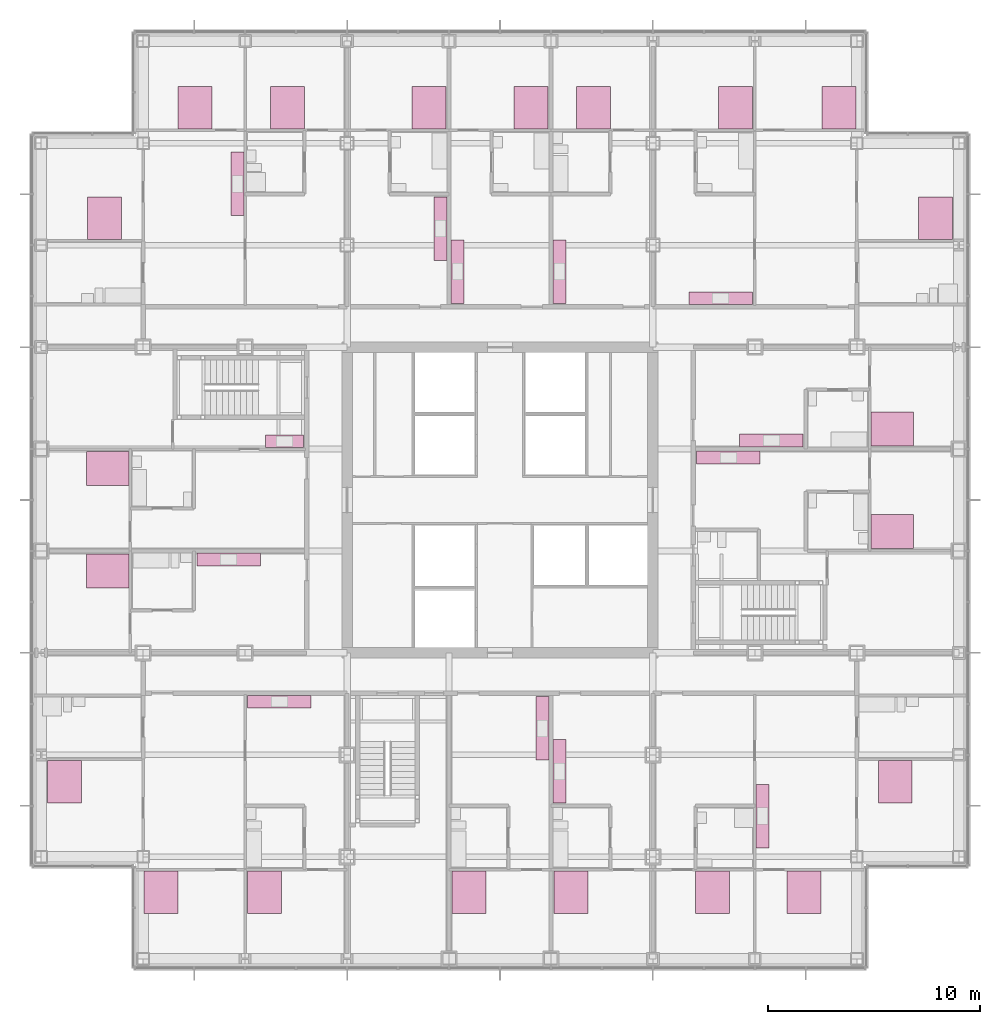
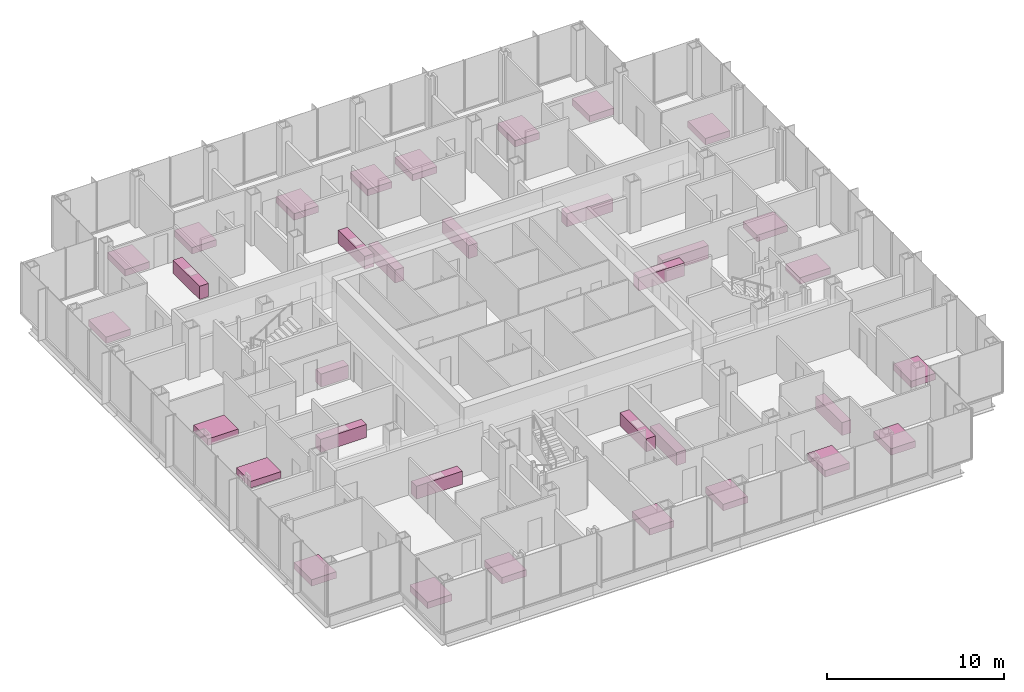
# One storey, part 21 of 21: 34 furniture elements.
"""IFC4 building model written with IfcOpenShell, lengths in metres."""

from ifc_helpers import new_model, si_unit, direction, frame, origin, origin_2d, place, context, subcontext, project, spatial, rectangle, extrude, material, type_object, element, save


model = new_model("IFC4")

# Units and contexts
model_context = context("Model", 3, precision=1e-05, world=origin(), true_north=direction((0.0, 1.0)))
body_context = subcontext(model_context, "Body", "Model", "MODEL_VIEW")
ifc_project = project(units=[si_unit("LENGTHUNIT", "METRE"), si_unit("AREAUNIT", "SQUARE_METRE"), si_unit("VOLUMEUNIT", "CUBIC_METRE"), si_unit("PLANEANGLEUNIT", "RADIAN"), si_unit("MASSUNIT", "GRAM", prefix="KILO")], contexts=[model_context])

# Site, building, storey
site_placement = place(None, origin())
site = spatial("IfcSite", under=ifc_project, at=site_placement, CompositionType="ELEMENT")
building_placement = place(site_placement, origin())
building = spatial("IfcBuilding", under=site, at=building_placement, Name="Kvirike Care Tower", CompositionType="ELEMENT")
storey_placement = place(building_placement, frame((0.0, 0.0, 48.0)))
storey = spatial("IfcBuildingStorey", under=building, at=storey_placement, Name="L12", CompositionType="ELEMENT", Elevation=48.0)

# Furniture
ifc_material_1 = material(Name="Timber", Category="wood")
furniture_type_1 = type_object("IfcFurnitureType", Name="DOUBLE BED 1600 x 2000", AssemblyPlace="FACTORY", PredefinedType="BED", material=ifc_material_1)
for number, where, z_axis, x_axis, name in (
    (1, (1.096923828125, 22.738037109375, 0.0), (0.0, 0.0, 1.0), (1.0, 0.0, 0.0), "Double bed L12-002"),
    (2, (5.64990234375, 17.5380859375, 0.0), (0.0, 0.0, 1.0), (1.0, 0.0, 0.0), "Double bed L12-003"),
    (3, (10.510009765625, 17.5380859375, 0.0), (0.0, 0.0, 1.0), (1.0, 0.0, 0.0), "Double bed L12-004"),
    (4, (3.137939453125, 37.489990234375, 0.0), (0.0, 0.0, 1.0), (0.0, -1.0, 0.0), "Double bed L12-012"),
    (5, (3.137939453125, 32.64990234375, 0.0), (0.0, 0.0, 1.0), (0.0, -1.0, 0.0), "Double bed L12-016"),
    (6, (11.60009765625, 54.4619140625, 0.0), (0.0, 0.0, 1.0), (-1.0, 0.0, 0.0), "Double bed L12-020"),
    (7, (7.239990234375, 54.4619140625, 0.0), (0.0, 0.0, 1.0), (-1.0, 0.0, 0.0), "Double bed L12-021"),
    (8, (2.989990234375, 49.261962890625, 0.0), (0.0, 0.0, 1.0), (-1.0, 0.0, 0.0), "Double bed L12-022"),
    (9, (20.14990234375, 17.5380859375, 0.0), (0.0, 0.0, 1.0), (1.0, 0.0, 0.0), "Double bed L12-030"),
    (10, (24.949951171875, 17.5380859375, 0.0), (0.0, 0.0, 1.0), (1.0, 0.0, 0.0), "Double bed L12-033"),
    (11, (26.0, 54.4619140625, 0.0), (0.0, 0.0, 1.0), (-1.0, 0.0, 0.0), "Double bed L12-037"),
    (12, (23.050048828125, 54.4619140625, 0.0), (0.0, 0.0, 1.0), (-1.0, 0.0, 0.0), "Double bed L12-040"),
    (13, (18.25, 54.4619140625, 0.0), (0.0, 0.0, 1.0), (-1.0, 0.0, 0.0), "Double bed L12-043"),
    (14, (31.60009765625, 17.5380859375, 0.0), (0.0, 0.0, 1.0), (1.0, 0.0, 0.0), "Double bed L12-047"),
    (15, (35.909912109375, 17.5380859375, 0.0), (0.0, 0.0, 1.0), (1.0, 0.0, 0.0), "Double bed L12-048"),
    (16, (40.2099609375, 22.738037109375, 0.0), (0.0, 0.0, 1.0), (1.0, 0.0, 0.0), "Double bed L12-049"),
    (17, (40.06201171875, 34.510009765625, 0.0), (0.0, 0.0, 1.0), (0.0, 1.0, 0.0), "Double bed L12-057"),
    (18, (40.06201171875, 39.35009765625, 0.0), (0.0, 0.0, 1.0), (0.0, 1.0, 0.0), "Double bed L12-061"),
    (19, (42.10302734375, 49.261962890625, 0.0), (0.0, 0.0, 1.0), (-1.0, 0.0, 0.0), "Double bed L12-065"),
    (20, (37.550048828125, 54.4619140625, 0.0), (0.0, 0.0, 1.0), (-1.0, 0.0, 0.0), "Double bed L12-066"),
    (21, (32.68994140625, 54.4619140625, 0.0), (0.0, 0.0, 1.0), (-1.0, 0.0, 0.0), "Double bed L12-067"),
):
    element("IfcFurniture", number, at=place(storey_placement, frame(where, z_axis=z_axis, x_axis=x_axis)), inside=storey, type_object=furniture_type_1, Name=name, PredefinedType="BED", context=body_context, shape_type="SweptSolid", body=[
        extrude(rectangle(XDim=1.60009765625, YDim=2.0, at=origin_2d()), origin(), (0.0, 0.0, 1.0), 0.449951171875),
    ])
ifc_material_2 = material(Name="Laminated board", Category="wood")
furniture_type_2 = type_object("IfcFurnitureType", Name="KITCHEN UNIT RUN 600", AssemblyPlace="FACTORY", PredefinedType="USERDEFINED", material=ifc_material_2)
furniture_1_placement = place(storey_placement, frame((11.2099609375, 26.498046875, 0.0), z_axis=(0.0, 0.0, 1.0), x_axis=(1.0, 0.0, 0.0)))
element("IfcFurniture", 22, at=furniture_1_placement, inside=storey, type_object=furniture_type_2, Name="Kitchen unit run L12-008", ObjectType="KITCHEN UNIT", PredefinedType="USERDEFINED", context=body_context, shape_type="SweptSolid", body=[
    extrude(rectangle(XDim=3.0, YDim=0.60009765625, at=origin_2d()), origin(), (0.0, 0.0, 1.0), 0.89990234375),
])
furniture_2_placement = place(storey_placement, frame((11.449951171875, 38.761962890625, 0.0), z_axis=(0.0, 0.0, 1.0), x_axis=(-1.0, 0.0, 0.0)))
element("IfcFurniture", 23, at=furniture_2_placement, inside=storey, type_object=furniture_type_2, Name="Kitchen unit run L12-014", ObjectType="KITCHEN UNIT", PredefinedType="USERDEFINED", context=body_context, shape_type="SweptSolid", body=[
    extrude(rectangle(XDim=1.800048828125, YDim=0.60009765625, at=origin_2d()), origin(), (0.0, 0.0, 1.0), 0.89990234375),
])
for number, where, z_axis, x_axis, name in (
    (24, (8.824951171875, 33.197998046875, 0.0), (0.0, 0.0, 1.0), (1.0, 0.0, 0.0), "Kitchen unit run L12-018"),
    (25, (9.238037109375, 50.889892578125, 0.0), (0.0, 0.0, 1.0), (0.0, -1.0, 0.0), "Kitchen unit run L12-026"),
    (26, (23.597900390625, 25.25, 0.0), (0.0, 0.0, 1.0), (0.0, -1.0, 0.0), "Kitchen unit run L12-032"),
    (27, (24.402099609375, 23.22509765625, 0.0), (0.0, 0.0, 1.0), (0.0, 1.0, 0.0), "Kitchen unit run L12-035"),
    (28, (24.402099609375, 46.75, 0.0), (0.0, 0.0, 1.0), (0.0, 1.0, 0.0), "Kitchen unit run L12-039"),
    (29, (19.60205078125, 46.75, 0.0), (0.0, 0.0, 1.0), (0.0, 1.0, 0.0), "Kitchen unit run L12-042"),
    (30, (18.798095703125, 48.77490234375, 0.0), (0.0, 0.0, 1.0), (0.0, -1.0, 0.0), "Kitchen unit run L12-045"),
    (31, (33.9619140625, 21.110107421875, 0.0), (0.0, 0.0, 1.0), (0.0, 1.0, 0.0), "Kitchen unit run L12-053"),
    (32, (32.35009765625, 37.998046875, 0.0), (0.0, 0.0, 1.0), (1.0, 0.0, 0.0), "Kitchen unit run L12-060"),
    (33, (34.375, 38.802001953125, 0.0), (0.0, 0.0, 1.0), (-1.0, 0.0, 0.0), "Kitchen unit run L12-063"),
    (34, (31.989990234375, 45.501953125, 0.0), (0.0, 0.0, 1.0), (-1.0, 0.0, 0.0), "Kitchen unit run L12-071"),
):
    element("IfcFurniture", number, at=place(storey_placement, frame(where, z_axis=z_axis, x_axis=x_axis)), inside=storey, type_object=furniture_type_2, Name=name, ObjectType="KITCHEN UNIT", PredefinedType="USERDEFINED", context=body_context, shape_type="SweptSolid", body=[
        extrude(rectangle(XDim=3.0, YDim=0.60009765625, at=origin_2d()), origin(), (0.0, 0.0, 1.0), 0.89990234375),
    ])

save(model, "model.ifc")
